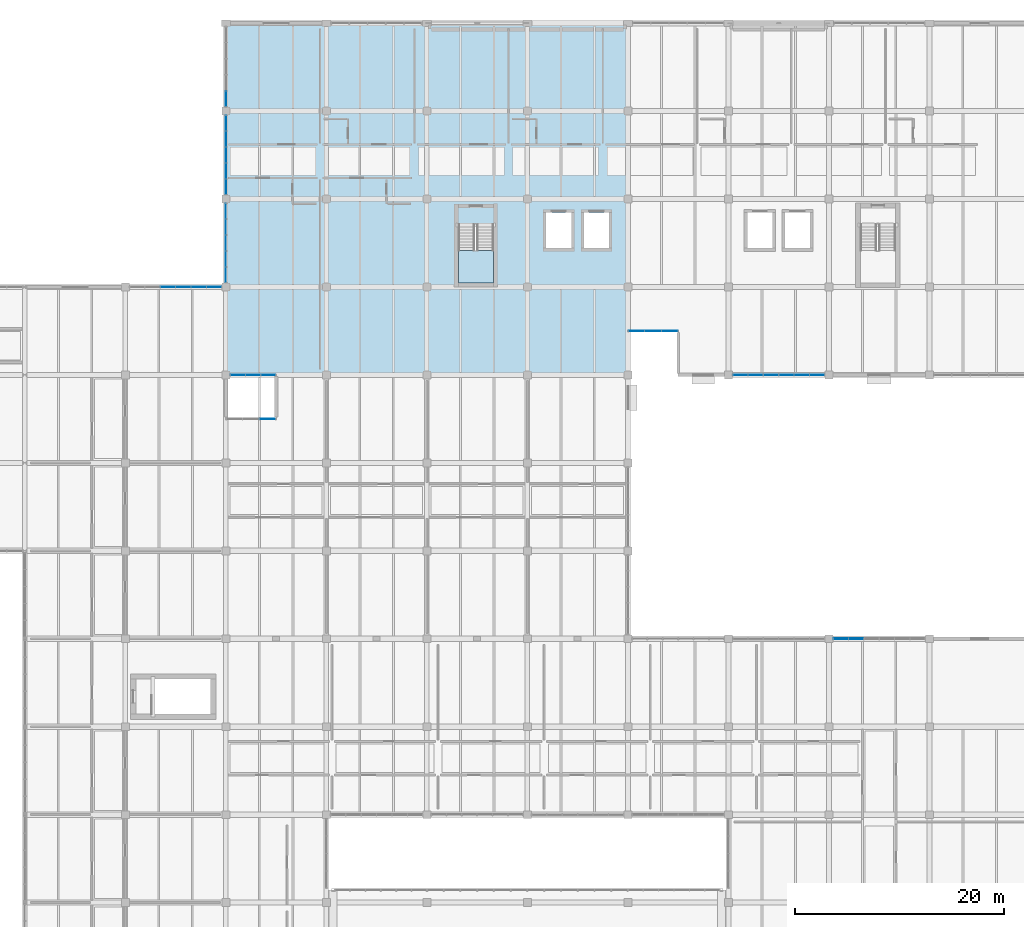
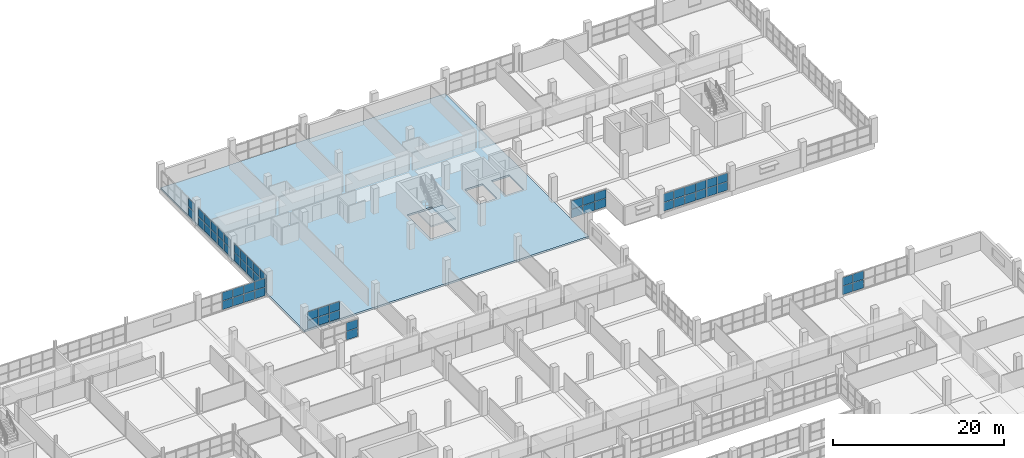
# One storey, part 106 of 147: 60 plates, 2 slabs, 10 elements without a shape of their own.
"""IFC4 building model written with IfcOpenShell, lengths in metres."""

from ifc_helpers import new_model, si_unit, direction, frame, origin, origin_2d, place, context, subcontext, project, spatial, polyline, rectangle, outline, extrude, material, layer, layer_set, type_object, element, aggregate, save


model = new_model("IFC4")

# Units and contexts
model_context = context("Model", 3, precision=1e-05, world=origin(), true_north=direction((0.0, 1.0)))
body_context = subcontext(model_context, "Body", "Model", "MODEL_VIEW")
ifc_project = project(units=[si_unit("LENGTHUNIT", "METRE"), si_unit("AREAUNIT", "SQUARE_METRE"), si_unit("VOLUMEUNIT", "CUBIC_METRE"), si_unit("PLANEANGLEUNIT", "RADIAN"), si_unit("MASSUNIT", "GRAM", prefix="KILO")], contexts=[model_context])

# Site, building, storey
site_placement = place(None, origin())
site = spatial("IfcSite", under=ifc_project, at=site_placement, CompositionType="ELEMENT")
building_placement = place(site_placement, origin())
building = spatial("IfcBuilding", under=site, at=building_placement, Name="Oolite Switchyard Hospital", CompositionType="ELEMENT")
storey_placement = place(building_placement, frame((0.0, 0.0, 9.89990234375)))
storey = spatial("IfcBuildingStorey", under=building, at=storey_placement, Name="L02", CompositionType="ELEMENT", Elevation=9.89990234375)

# Curtain wall, plates
ifc_material_1 = material(Name="Thermally broken aluminum frame with laminated impact glazing", Category="aluminium")
curtain_wall_type_1 = type_object("IfcCurtainWallType", Name="CW-UNIT-96X36", PredefinedType="USERDEFINED", material=ifc_material_1)
curtain_wall_1_placement = place(storey_placement, origin())
curtain_wall_1 = element("IfcCurtainWall", 1, at=curtain_wall_1_placement, inside=storey, type_object=curtain_wall_type_1, Name="L02 Unitised Curtain Wall 248", ObjectType="UNITISED", PredefinedType="USERDEFINED")
ifc_material_2 = material(Name="Insulated fluoropolymer-coated aluminum spandrel panel", Category="aluminium")
ifc_layer_1 = layer(ifc_material_2, 0.054931640625)
ifc_layer_set_1 = layer_set([ifc_layer_1], Name="CW-PNL-SPN55")
plate_type_1 = type_object("IfcPlateType", Name="CW-PNL-SPN55", PredefinedType="CURTAIN_PANEL", material=ifc_layer_set_1)
plate_1_placement = place(storey_placement, frame((193.142578125, 75.60009765625, 0.06005859375), z_axis=(0.0, 0.0, 1.0), x_axis=(1.0, 0.0, 0.0)))
plate_1 = element("IfcPlate", 2, at=plate_1_placement, type_object=plate_type_1, Name="CW-03 panel 1.1", PredefinedType="CURTAIN_PANEL", context=body_context, shape_type="SweptSolid", body=[
    extrude(rectangle(XDim=1.364990234375, YDim=0.054931640625, at=origin_2d()), origin(), (0.0, 0.0, 1.0), 1.195068359375),
])
plate_2_placement = place(storey_placement, frame((193.142578125, 75.60009765625, 1.31494140625), z_axis=(0.0, 0.0, 1.0), x_axis=(1.0, 0.0, 0.0)))
plate_2 = element("IfcPlate", 3, at=plate_2_placement, type_object=plate_type_1, Name="CW-03 panel 1.2", PredefinedType="CURTAIN_PANEL", context=body_context, shape_type="SweptSolid", body=[
    extrude(rectangle(XDim=1.364990234375, YDim=0.054931640625, at=origin_2d()), origin(), (0.0, 0.0, 1.0), 1.195068359375),
])
plate_3_placement = place(storey_placement, frame((194.594970703125, 75.60009765625, 0.06005859375), z_axis=(0.0, 0.0, 1.0), x_axis=(1.0, 0.0, 0.0)))
plate_3 = element("IfcPlate", 4, at=plate_3_placement, type_object=plate_type_1, Name="CW-03 panel 2.1", PredefinedType="CURTAIN_PANEL", context=body_context, shape_type="SweptSolid", body=[
    extrude(rectangle(XDim=1.39990234375, YDim=0.054931640625, at=origin_2d()), origin(), (0.0, 0.0, 1.0), 1.195068359375),
])
plate_4_placement = place(storey_placement, frame((194.594970703125, 75.60009765625, 1.31494140625), z_axis=(0.0, 0.0, 1.0), x_axis=(1.0, 0.0, 0.0)))
plate_4 = element("IfcPlate", 5, at=plate_4_placement, type_object=plate_type_1, Name="CW-03 panel 2.2", PredefinedType="CURTAIN_PANEL", context=body_context, shape_type="SweptSolid", body=[
    extrude(rectangle(XDim=1.39990234375, YDim=0.054931640625, at=origin_2d()), origin(), (0.0, 0.0, 1.0), 1.195068359375),
])
aggregate(curtain_wall_1, [plate_1, plate_2, plate_3, plate_4])

curtain_wall_type_2 = type_object("IfcCurtainWallType", Name="CW-UNIT-84X36", PredefinedType="USERDEFINED", material=ifc_material_1)
curtain_wall_2_placement = place(storey_placement, origin())
curtain_wall_2 = element("IfcCurtainWall", 6, at=curtain_wall_2_placement, inside=storey, type_object=curtain_wall_type_2, Name="L02 Unitised Curtain Wall 262", ObjectType="UNITISED", PredefinedType="USERDEFINED")
ifc_layer_2 = layer(ifc_material_2, 0.070068359375)
ifc_layer_set_2 = layer_set([ifc_layer_2], Name="CW-PNL-SPN70")
plate_type_2 = type_object("IfcPlateType", Name="CW-PNL-SPN70", PredefinedType="CURTAIN_PANEL", material=ifc_layer_set_2)
plate_5_placement = place(storey_placement, frame((176.784912109375, 105.0, 0.06005859375), z_axis=(0.0, 0.0, 1.0), x_axis=(-1.0, 0.0, 0.0)))
plate_5 = element("IfcPlate", 7, at=plate_5_placement, type_object=plate_type_2, Name="CW-08 panel 1.1", PredefinedType="CURTAIN_PANEL", context=body_context, shape_type="SweptSolid", body=[
    extrude(rectangle(XDim=1.510009765625, YDim=0.070068359375, at=origin_2d()), origin(), (0.0, 0.0, 1.0), 1.195068359375),
])
plate_6_placement = place(storey_placement, frame((176.784912109375, 105.0, 1.31494140625), z_axis=(0.0, 0.0, 1.0), x_axis=(-1.0, 0.0, 0.0)))
plate_6 = element("IfcPlate", 8, at=plate_6_placement, type_object=plate_type_2, Name="CW-08 panel 1.2", PredefinedType="CURTAIN_PANEL", context=body_context, shape_type="SweptSolid", body=[
    extrude(rectangle(XDim=1.510009765625, YDim=0.070068359375, at=origin_2d()), origin(), (0.0, 0.0, 1.0), 1.195068359375),
])
plate_7_placement = place(storey_placement, frame((175.199951171875, 105.0, 0.06005859375), z_axis=(0.0, 0.0, 1.0), x_axis=(-1.0, 0.0, 0.0)))
plate_7 = element("IfcPlate", 9, at=plate_7_placement, type_object=plate_type_2, Name="CW-08 panel 2.1", PredefinedType="CURTAIN_PANEL", context=body_context, shape_type="SweptSolid", body=[
    extrude(rectangle(XDim=1.5400390625, YDim=0.070068359375, at=origin_2d()), origin(), (0.0, 0.0, 1.0), 1.195068359375),
])
plate_8_placement = place(storey_placement, frame((175.199951171875, 105.0, 1.31494140625), z_axis=(0.0, 0.0, 1.0), x_axis=(-1.0, 0.0, 0.0)))
plate_8 = element("IfcPlate", 10, at=plate_8_placement, type_object=plate_type_2, Name="CW-08 panel 2.2", PredefinedType="CURTAIN_PANEL", context=body_context, shape_type="SweptSolid", body=[
    extrude(rectangle(XDim=1.5400390625, YDim=0.070068359375, at=origin_2d()), origin(), (0.0, 0.0, 1.0), 1.195068359375),
])
plate_9_placement = place(storey_placement, frame((173.614990234375, 105.0, 0.06005859375), z_axis=(0.0, 0.0, 1.0), x_axis=(-1.0, 0.0, 0.0)))
plate_9 = element("IfcPlate", 11, at=plate_9_placement, type_object=plate_type_2, Name="CW-08 panel 3.1", PredefinedType="CURTAIN_PANEL", context=body_context, shape_type="SweptSolid", body=[
    extrude(rectangle(XDim=1.510009765625, YDim=0.070068359375, at=origin_2d()), origin(), (0.0, 0.0, 1.0), 1.195068359375),
])
plate_10_placement = place(storey_placement, frame((173.614990234375, 105.0, 1.31494140625), z_axis=(0.0, 0.0, 1.0), x_axis=(-1.0, 0.0, 0.0)))
plate_10 = element("IfcPlate", 12, at=plate_10_placement, type_object=plate_type_2, Name="CW-08 panel 3.2", PredefinedType="CURTAIN_PANEL", context=body_context, shape_type="SweptSolid", body=[
    extrude(rectangle(XDim=1.510009765625, YDim=0.070068359375, at=origin_2d()), origin(), (0.0, 0.0, 1.0), 1.195068359375),
])
aggregate(curtain_wall_2, [plate_5, plate_6, plate_7, plate_8, plate_9, plate_10])

curtain_wall_3_placement = place(storey_placement, origin())
curtain_wall_3 = element("IfcCurtainWall", 13, at=curtain_wall_3_placement, inside=storey, type_object=curtain_wall_type_1, Name="L02 Unitised Curtain Wall 260", ObjectType="UNITISED", PredefinedType="USERDEFINED")
ifc_material_3 = material(Name="Laminated hurricane-impact insulated glazing unit", Category="glass")
ifc_layer_3 = layer(ifc_material_3, 0.028076171875)
ifc_layer_set_3 = layer_set([ifc_layer_3], Name="CW-PNL-VIS28")
plate_type_3 = type_object("IfcPlateType", Name="CW-PNL-VIS28", PredefinedType="CURTAIN_PANEL", material=ifc_layer_set_3)
plate_11_placement = place(storey_placement, frame((190.857421875, 100.800048828125, 0.06005859375), z_axis=(0.0, 0.0, 1.0), x_axis=(-1.0, 0.0, 0.0)))
plate_11 = element("IfcPlate", 14, at=plate_11_placement, type_object=plate_type_3, Name="CW-03 panel 1.1", PredefinedType="CURTAIN_PANEL", context=body_context, shape_type="SweptSolid", body=[
    extrude(rectangle(XDim=1.364990234375, YDim=0.028076171875, at=origin_2d()), origin(), (0.0, 0.0, 1.0), 1.195068359375),
])
plate_12_placement = place(storey_placement, frame((190.857421875, 100.800048828125, 1.31494140625), z_axis=(0.0, 0.0, 1.0), x_axis=(-1.0, 0.0, 0.0)))
plate_12 = element("IfcPlate", 15, at=plate_12_placement, type_object=plate_type_3, Name="CW-03 panel 1.2", PredefinedType="CURTAIN_PANEL", context=body_context, shape_type="SweptSolid", body=[
    extrude(rectangle(XDim=1.364990234375, YDim=0.028076171875, at=origin_2d()), origin(), (0.0, 0.0, 1.0), 1.195068359375),
])
plate_13_placement = place(storey_placement, frame((189.405029296875, 100.800048828125, 0.06005859375), z_axis=(0.0, 0.0, 1.0), x_axis=(-1.0, 0.0, 0.0)))
plate_13 = element("IfcPlate", 16, at=plate_13_placement, type_object=plate_type_3, Name="CW-03 panel 2.1", PredefinedType="CURTAIN_PANEL", context=body_context, shape_type="SweptSolid", body=[
    extrude(rectangle(XDim=1.39990234375, YDim=0.028076171875, at=origin_2d()), origin(), (0.0, 0.0, 1.0), 1.195068359375),
])
plate_14_placement = place(storey_placement, frame((189.405029296875, 100.800048828125, 1.31494140625), z_axis=(0.0, 0.0, 1.0), x_axis=(-1.0, 0.0, 0.0)))
plate_14 = element("IfcPlate", 17, at=plate_14_placement, type_object=plate_type_3, Name="CW-03 panel 2.2", PredefinedType="CURTAIN_PANEL", context=body_context, shape_type="SweptSolid", body=[
    extrude(rectangle(XDim=1.39990234375, YDim=0.028076171875, at=origin_2d()), origin(), (0.0, 0.0, 1.0), 1.195068359375),
])
plate_15_placement = place(storey_placement, frame((187.93505859375, 100.800048828125, 0.06005859375), z_axis=(0.0, 0.0, 1.0), x_axis=(-1.0, 0.0, 0.0)))
plate_15 = element("IfcPlate", 18, at=plate_15_placement, type_object=plate_type_3, Name="CW-03 panel 3.1", PredefinedType="CURTAIN_PANEL", context=body_context, shape_type="SweptSolid", body=[
    extrude(rectangle(XDim=1.39990234375, YDim=0.028076171875, at=origin_2d()), origin(), (0.0, 0.0, 1.0), 1.195068359375),
])
plate_16_placement = place(storey_placement, frame((187.93505859375, 100.800048828125, 1.31494140625), z_axis=(0.0, 0.0, 1.0), x_axis=(-1.0, 0.0, 0.0)))
plate_16 = element("IfcPlate", 19, at=plate_16_placement, type_object=plate_type_3, Name="CW-03 panel 3.2", PredefinedType="CURTAIN_PANEL", context=body_context, shape_type="SweptSolid", body=[
    extrude(rectangle(XDim=1.39990234375, YDim=0.028076171875, at=origin_2d()), origin(), (0.0, 0.0, 1.0), 1.195068359375),
])
plate_17_placement = place(storey_placement, frame((186.465087890625, 100.800048828125, 0.06005859375), z_axis=(0.0, 0.0, 1.0), x_axis=(-1.0, 0.0, 0.0)))
plate_17 = element("IfcPlate", 20, at=plate_17_placement, type_object=plate_type_3, Name="CW-03 panel 4.1", PredefinedType="CURTAIN_PANEL", context=body_context, shape_type="SweptSolid", body=[
    extrude(rectangle(XDim=1.39990234375, YDim=0.028076171875, at=origin_2d()), origin(), (0.0, 0.0, 1.0), 1.195068359375),
])
plate_18_placement = place(storey_placement, frame((186.465087890625, 100.800048828125, 1.31494140625), z_axis=(0.0, 0.0, 1.0), x_axis=(-1.0, 0.0, 0.0)))
plate_18 = element("IfcPlate", 21, at=plate_18_placement, type_object=plate_type_3, Name="CW-03 panel 4.2", PredefinedType="CURTAIN_PANEL", context=body_context, shape_type="SweptSolid", body=[
    extrude(rectangle(XDim=1.39990234375, YDim=0.028076171875, at=origin_2d()), origin(), (0.0, 0.0, 1.0), 1.195068359375),
])
plate_19_placement = place(storey_placement, frame((184.9951171875, 100.800048828125, 0.06005859375), z_axis=(0.0, 0.0, 1.0), x_axis=(-1.0, 0.0, 0.0)))
plate_19 = element("IfcPlate", 22, at=plate_19_placement, type_object=plate_type_3, Name="CW-03 panel 5.1", PredefinedType="CURTAIN_PANEL", context=body_context, shape_type="SweptSolid", body=[
    extrude(rectangle(XDim=1.39990234375, YDim=0.028076171875, at=origin_2d()), origin(), (0.0, 0.0, 1.0), 1.195068359375),
])
plate_20_placement = place(storey_placement, frame((184.9951171875, 100.800048828125, 1.31494140625), z_axis=(0.0, 0.0, 1.0), x_axis=(-1.0, 0.0, 0.0)))
plate_20 = element("IfcPlate", 23, at=plate_20_placement, type_object=plate_type_3, Name="CW-03 panel 5.2", PredefinedType="CURTAIN_PANEL", context=body_context, shape_type="SweptSolid", body=[
    extrude(rectangle(XDim=1.39990234375, YDim=0.028076171875, at=origin_2d()), origin(), (0.0, 0.0, 1.0), 1.195068359375),
])
plate_21_placement = place(storey_placement, frame((183.54248046875, 100.800048828125, 0.06005859375), z_axis=(0.0, 0.0, 1.0), x_axis=(-1.0, 0.0, 0.0)))
plate_21 = element("IfcPlate", 24, at=plate_21_placement, type_object=plate_type_3, Name="CW-03 panel 6.1", PredefinedType="CURTAIN_PANEL", context=body_context, shape_type="SweptSolid", body=[
    extrude(rectangle(XDim=1.364990234375, YDim=0.028076171875, at=origin_2d()), origin(), (0.0, 0.0, 1.0), 1.195068359375),
])
plate_22_placement = place(storey_placement, frame((183.54248046875, 100.800048828125, 1.31494140625), z_axis=(0.0, 0.0, 1.0), x_axis=(-1.0, 0.0, 0.0)))
plate_22 = element("IfcPlate", 25, at=plate_22_placement, type_object=plate_type_3, Name="CW-03 panel 6.2", PredefinedType="CURTAIN_PANEL", context=body_context, shape_type="SweptSolid", body=[
    extrude(rectangle(XDim=1.364990234375, YDim=0.028076171875, at=origin_2d()), origin(), (0.0, 0.0, 1.0), 1.195068359375),
])
aggregate(curtain_wall_3, [plate_11, plate_12, plate_13, plate_14, plate_15, plate_16, plate_17, plate_18, plate_19, plate_20, plate_21, plate_22])

curtain_wall_4_placement = place(storey_placement, origin())
curtain_wall_4 = element("IfcCurtainWall", 26, at=curtain_wall_4_placement, inside=storey, type_object=curtain_wall_type_2, Name="L02 Unitised Curtain Wall 298", ObjectType="UNITISED", PredefinedType="USERDEFINED")
plate_23_placement = place(storey_placement, frame((134.39990234375, 110.366943359375, 0.06005859375), z_axis=(0.0, 0.0, 1.0), x_axis=(0.0, 1.0, 0.0)))
plate_23 = element("IfcPlate", 27, at=plate_23_placement, type_object=plate_type_3, Name="CW-08 panel 1.1", PredefinedType="CURTAIN_PANEL", context=body_context, shape_type="SweptSolid", body=[
    extrude(rectangle(XDim=1.43408203125, YDim=0.028076171875, at=origin_2d()), origin(), (0.0, 0.0, 1.0), 1.195068359375),
])
plate_24_placement = place(storey_placement, frame((134.39990234375, 110.366943359375, 1.31494140625), z_axis=(0.0, 0.0, 1.0), x_axis=(0.0, 1.0, 0.0)))
plate_24 = element("IfcPlate", 28, at=plate_24_placement, type_object=plate_type_3, Name="CW-08 panel 1.2", PredefinedType="CURTAIN_PANEL", context=body_context, shape_type="SweptSolid", body=[
    extrude(rectangle(XDim=1.43408203125, YDim=0.028076171875, at=origin_2d()), origin(), (0.0, 0.0, 1.0), 1.195068359375),
])
plate_25_placement = place(storey_placement, frame((134.39990234375, 111.8759765625, 0.06005859375), z_axis=(0.0, 0.0, 1.0), x_axis=(0.0, 1.0, 0.0)))
plate_25 = element("IfcPlate", 29, at=plate_25_placement, type_object=plate_type_3, Name="CW-08 panel 2.1", PredefinedType="CURTAIN_PANEL", context=body_context, shape_type="SweptSolid", body=[
    extrude(rectangle(XDim=1.464111328125, YDim=0.028076171875, at=origin_2d()), origin(), (0.0, 0.0, 1.0), 1.195068359375),
])
plate_26_placement = place(storey_placement, frame((134.39990234375, 111.8759765625, 1.31494140625), z_axis=(0.0, 0.0, 1.0), x_axis=(0.0, 1.0, 0.0)))
plate_26 = element("IfcPlate", 30, at=plate_26_placement, type_object=plate_type_3, Name="CW-08 panel 2.2", PredefinedType="CURTAIN_PANEL", context=body_context, shape_type="SweptSolid", body=[
    extrude(rectangle(XDim=1.464111328125, YDim=0.028076171875, at=origin_2d()), origin(), (0.0, 0.0, 1.0), 1.195068359375),
])
plate_27_placement = place(storey_placement, frame((134.39990234375, 113.39990234375, 0.06005859375), z_axis=(0.0, 0.0, 1.0), x_axis=(0.0, 1.0, 0.0)))
plate_27 = element("IfcPlate", 31, at=plate_27_placement, type_object=plate_type_3, Name="CW-08 panel 3.1", PredefinedType="CURTAIN_PANEL", context=body_context, shape_type="SweptSolid", body=[
    extrude(rectangle(XDim=1.464111328125, YDim=0.028076171875, at=origin_2d()), origin(), (0.0, 0.0, 1.0), 1.195068359375),
])
plate_28_placement = place(storey_placement, frame((134.39990234375, 113.39990234375, 1.31494140625), z_axis=(0.0, 0.0, 1.0), x_axis=(0.0, 1.0, 0.0)))
plate_28 = element("IfcPlate", 32, at=plate_28_placement, type_object=plate_type_3, Name="CW-08 panel 3.2", PredefinedType="CURTAIN_PANEL", context=body_context, shape_type="SweptSolid", body=[
    extrude(rectangle(XDim=1.464111328125, YDim=0.028076171875, at=origin_2d()), origin(), (0.0, 0.0, 1.0), 1.195068359375),
])
plate_29_placement = place(storey_placement, frame((134.39990234375, 114.924072265625, 0.06005859375), z_axis=(0.0, 0.0, 1.0), x_axis=(0.0, 1.0, 0.0)))
plate_29 = element("IfcPlate", 33, at=plate_29_placement, type_object=plate_type_3, Name="CW-08 panel 4.1", PredefinedType="CURTAIN_PANEL", context=body_context, shape_type="SweptSolid", body=[
    extrude(rectangle(XDim=1.464111328125, YDim=0.028076171875, at=origin_2d()), origin(), (0.0, 0.0, 1.0), 1.195068359375),
])
plate_30_placement = place(storey_placement, frame((134.39990234375, 114.924072265625, 1.31494140625), z_axis=(0.0, 0.0, 1.0), x_axis=(0.0, 1.0, 0.0)))
plate_30 = element("IfcPlate", 34, at=plate_30_placement, type_object=plate_type_3, Name="CW-08 panel 4.2", PredefinedType="CURTAIN_PANEL", context=body_context, shape_type="SweptSolid", body=[
    extrude(rectangle(XDim=1.464111328125, YDim=0.028076171875, at=origin_2d()), origin(), (0.0, 0.0, 1.0), 1.195068359375),
])
plate_31_placement = place(storey_placement, frame((134.39990234375, 116.43310546875, 0.06005859375), z_axis=(0.0, 0.0, 1.0), x_axis=(0.0, 1.0, 0.0)))
plate_31 = element("IfcPlate", 35, at=plate_31_placement, type_object=plate_type_3, Name="CW-08 panel 5.1", PredefinedType="CURTAIN_PANEL", context=body_context, shape_type="SweptSolid", body=[
    extrude(rectangle(XDim=1.43408203125, YDim=0.028076171875, at=origin_2d()), origin(), (0.0, 0.0, 1.0), 1.195068359375),
])
plate_32_placement = place(storey_placement, frame((134.39990234375, 116.43310546875, 1.31494140625), z_axis=(0.0, 0.0, 1.0), x_axis=(0.0, 1.0, 0.0)))
plate_32 = element("IfcPlate", 36, at=plate_32_placement, type_object=plate_type_3, Name="CW-08 panel 5.2", PredefinedType="CURTAIN_PANEL", context=body_context, shape_type="SweptSolid", body=[
    extrude(rectangle(XDim=1.43408203125, YDim=0.028076171875, at=origin_2d()), origin(), (0.0, 0.0, 1.0), 1.195068359375),
])
aggregate(curtain_wall_4, [plate_23, plate_24, plate_25, plate_26, plate_27, plate_28, plate_29, plate_30, plate_31, plate_32])

curtain_wall_5_placement = place(storey_placement, origin())
curtain_wall_5 = element("IfcCurtainWall", 37, at=curtain_wall_5_placement, inside=storey, type_object=curtain_wall_type_2, Name="L02 Unitised Curtain Wall 258", ObjectType="UNITISED", PredefinedType="USERDEFINED")
ifc_layer_4 = layer(ifc_material_3, 0.031982421875)
ifc_layer_set_4 = layer_set([ifc_layer_4], Name="CW-PNL-VIS32")
plate_type_4 = type_object("IfcPlateType", Name="CW-PNL-VIS32", PredefinedType="CURTAIN_PANEL", material=ifc_layer_set_4)
plate_33_placement = place(storey_placement, frame((138.38134765625, 96.60009765625, 0.06005859375), z_axis=(0.0, 0.0, 1.0), x_axis=(1.0, 0.0, 0.0)))
plate_33 = element("IfcPlate", 38, at=plate_33_placement, type_object=plate_type_4, Name="CW-08 panel 3.1", PredefinedType="CURTAIN_PANEL", context=body_context, shape_type="SweptSolid", body=[
    extrude(rectangle(XDim=1.487548828125, YDim=0.031982421875, at=origin_2d()), origin(), (0.0, 0.0, 1.0), 1.195068359375),
])
plate_34_placement = place(storey_placement, frame((138.38134765625, 96.60009765625, 1.31494140625), z_axis=(0.0, 0.0, 1.0), x_axis=(1.0, 0.0, 0.0)))
plate_34 = element("IfcPlate", 39, at=plate_34_placement, type_object=plate_type_4, Name="CW-08 panel 3.2", PredefinedType="CURTAIN_PANEL", context=body_context, shape_type="SweptSolid", body=[
    extrude(rectangle(XDim=1.487548828125, YDim=0.031982421875, at=origin_2d()), origin(), (0.0, 0.0, 1.0), 1.195068359375),
])
aggregate(curtain_wall_5, [plate_33, plate_34])

curtain_wall_6_placement = place(storey_placement, origin())
curtain_wall_6 = element("IfcCurtainWall", 40, at=curtain_wall_6_placement, inside=storey, type_object=curtain_wall_type_2, Name="L02 Unitised Curtain Wall 299", ObjectType="UNITISED", PredefinedType="USERDEFINED")
plate_35_placement = place(storey_placement, frame((134.39990234375, 118.76953125, 0.0751953125), z_axis=(0.0, 0.0, 1.0), x_axis=(0.0, 1.0, 0.0)))
plate_35 = element("IfcPlate", 41, at=plate_35_placement, type_object=plate_type_4, Name="CW-08 panel 1.1", PredefinedType="CURTAIN_PANEL", context=body_context, shape_type="SweptSolid", body=[
    extrude(rectangle(XDim=1.4189453125, YDim=0.031982421875, at=origin_2d()), origin(), (0.0, 0.0, 1.0), 1.172607421875),
])
plate_36_placement = place(storey_placement, frame((134.39990234375, 118.76953125, 1.32275390625), z_axis=(0.0, 0.0, 1.0), x_axis=(0.0, 1.0, 0.0)))
plate_36 = element("IfcPlate", 42, at=plate_36_placement, type_object=plate_type_4, Name="CW-08 panel 1.2", PredefinedType="CURTAIN_PANEL", context=body_context, shape_type="SweptSolid", body=[
    extrude(rectangle(XDim=1.4189453125, YDim=0.031982421875, at=origin_2d()), origin(), (0.0, 0.0, 1.0), 1.172607421875),
])
plate_37_placement = place(storey_placement, frame((134.39990234375, 120.27587890625, 0.0751953125), z_axis=(0.0, 0.0, 1.0), x_axis=(0.0, 1.0, 0.0)))
plate_37 = element("IfcPlate", 43, at=plate_37_placement, type_object=plate_type_4, Name="CW-08 panel 2.1", PredefinedType="CURTAIN_PANEL", context=body_context, shape_type="SweptSolid", body=[
    extrude(rectangle(XDim=1.4541015625, YDim=0.031982421875, at=origin_2d()), origin(), (0.0, 0.0, 1.0), 1.172607421875),
])
plate_38_placement = place(storey_placement, frame((134.39990234375, 120.27587890625, 1.32275390625), z_axis=(0.0, 0.0, 1.0), x_axis=(0.0, 1.0, 0.0)))
plate_38 = element("IfcPlate", 44, at=plate_38_placement, type_object=plate_type_4, Name="CW-08 panel 2.2", PredefinedType="CURTAIN_PANEL", context=body_context, shape_type="SweptSolid", body=[
    extrude(rectangle(XDim=1.4541015625, YDim=0.031982421875, at=origin_2d()), origin(), (0.0, 0.0, 1.0), 1.172607421875),
])
plate_39_placement = place(storey_placement, frame((134.39990234375, 121.800048828125, 0.0751953125), z_axis=(0.0, 0.0, 1.0), x_axis=(0.0, 1.0, 0.0)))
plate_39 = element("IfcPlate", 45, at=plate_39_placement, type_object=plate_type_4, Name="CW-08 panel 3.1", PredefinedType="CURTAIN_PANEL", context=body_context, shape_type="SweptSolid", body=[
    extrude(rectangle(XDim=1.4541015625, YDim=0.031982421875, at=origin_2d()), origin(), (0.0, 0.0, 1.0), 1.172607421875),
])
plate_40_placement = place(storey_placement, frame((134.39990234375, 121.800048828125, 1.32275390625), z_axis=(0.0, 0.0, 1.0), x_axis=(0.0, 1.0, 0.0)))
plate_40 = element("IfcPlate", 46, at=plate_40_placement, type_object=plate_type_4, Name="CW-08 panel 3.2", PredefinedType="CURTAIN_PANEL", context=body_context, shape_type="SweptSolid", body=[
    extrude(rectangle(XDim=1.4541015625, YDim=0.031982421875, at=origin_2d()), origin(), (0.0, 0.0, 1.0), 1.172607421875),
])
plate_41_placement = place(storey_placement, frame((134.39990234375, 123.323974609375, 0.0751953125), z_axis=(0.0, 0.0, 1.0), x_axis=(0.0, 1.0, 0.0)))
plate_41 = element("IfcPlate", 47, at=plate_41_placement, type_object=plate_type_4, Name="CW-08 panel 4.1", PredefinedType="CURTAIN_PANEL", context=body_context, shape_type="SweptSolid", body=[
    extrude(rectangle(XDim=1.4541015625, YDim=0.031982421875, at=origin_2d()), origin(), (0.0, 0.0, 1.0), 1.172607421875),
])
plate_42_placement = place(storey_placement, frame((134.39990234375, 123.323974609375, 1.32275390625), z_axis=(0.0, 0.0, 1.0), x_axis=(0.0, 1.0, 0.0)))
plate_42 = element("IfcPlate", 48, at=plate_42_placement, type_object=plate_type_4, Name="CW-08 panel 4.2", PredefinedType="CURTAIN_PANEL", context=body_context, shape_type="SweptSolid", body=[
    extrude(rectangle(XDim=1.4541015625, YDim=0.031982421875, at=origin_2d()), origin(), (0.0, 0.0, 1.0), 1.172607421875),
])
plate_43_placement = place(storey_placement, frame((134.39990234375, 124.83056640625, 0.0751953125), z_axis=(0.0, 0.0, 1.0), x_axis=(0.0, 1.0, 0.0)))
plate_43 = element("IfcPlate", 49, at=plate_43_placement, type_object=plate_type_4, Name="CW-08 panel 5.1", PredefinedType="CURTAIN_PANEL", context=body_context, shape_type="SweptSolid", body=[
    extrude(rectangle(XDim=1.4189453125, YDim=0.031982421875, at=origin_2d()), origin(), (0.0, 0.0, 1.0), 1.172607421875),
])
plate_44_placement = place(storey_placement, frame((134.39990234375, 124.83056640625, 1.32275390625), z_axis=(0.0, 0.0, 1.0), x_axis=(0.0, 1.0, 0.0)))
plate_44 = element("IfcPlate", 50, at=plate_44_placement, type_object=plate_type_4, Name="CW-08 panel 5.2", PredefinedType="CURTAIN_PANEL", context=body_context, shape_type="SweptSolid", body=[
    extrude(rectangle(XDim=1.4189453125, YDim=0.031982421875, at=origin_2d()), origin(), (0.0, 0.0, 1.0), 1.172607421875),
])
aggregate(curtain_wall_6, [plate_35, plate_36, plate_37, plate_38, plate_39, plate_40, plate_41, plate_42, plate_43, plate_44])

curtain_wall_7_placement = place(storey_placement, origin())
curtain_wall_7 = element("IfcCurtainWall", 51, at=curtain_wall_7_placement, inside=storey, type_object=curtain_wall_type_1, Name="L02 Unitised Curtain Wall 266", ObjectType="UNITISED", PredefinedType="USERDEFINED")
ifc_layer_5 = layer(ifc_material_3, 0.035888671875)
ifc_layer_set_5 = layer_set([ifc_layer_5], Name="CW-PNL-VIS36")
plate_type_5 = type_object("IfcPlateType", Name="CW-PNL-VIS36", PredefinedType="CURTAIN_PANEL", material=ifc_layer_set_5)
plate_45_placement = place(storey_placement, frame((128.864990234375, 109.199951171875, 0.06005859375), z_axis=(0.0, 0.0, 1.0), x_axis=(1.0, 0.0, 0.0)))
plate_45 = element("IfcPlate", 52, at=plate_45_placement, type_object=plate_type_5, Name="CW-03 panel 3.1", PredefinedType="CURTAIN_PANEL", context=body_context, shape_type="SweptSolid", body=[
    extrude(rectangle(XDim=1.39990234375, YDim=0.035888671875, at=origin_2d()), origin(), (0.0, 0.0, 1.0), 1.195068359375),
])
plate_46_placement = place(storey_placement, frame((128.864990234375, 109.199951171875, 1.31494140625), z_axis=(0.0, 0.0, 1.0), x_axis=(1.0, 0.0, 0.0)))
plate_46 = element("IfcPlate", 53, at=plate_46_placement, type_object=plate_type_5, Name="CW-03 panel 3.2", PredefinedType="CURTAIN_PANEL", context=body_context, shape_type="SweptSolid", body=[
    extrude(rectangle(XDim=1.39990234375, YDim=0.035888671875, at=origin_2d()), origin(), (0.0, 0.0, 1.0), 1.195068359375),
])
plate_47_placement = place(storey_placement, frame((130.3349609375, 109.199951171875, 0.06005859375), z_axis=(0.0, 0.0, 1.0), x_axis=(1.0, 0.0, 0.0)))
plate_47 = element("IfcPlate", 54, at=plate_47_placement, type_object=plate_type_5, Name="CW-03 panel 4.1", PredefinedType="CURTAIN_PANEL", context=body_context, shape_type="SweptSolid", body=[
    extrude(rectangle(XDim=1.39990234375, YDim=0.035888671875, at=origin_2d()), origin(), (0.0, 0.0, 1.0), 1.195068359375),
])
plate_48_placement = place(storey_placement, frame((130.3349609375, 109.199951171875, 1.31494140625), z_axis=(0.0, 0.0, 1.0), x_axis=(1.0, 0.0, 0.0)))
plate_48 = element("IfcPlate", 55, at=plate_48_placement, type_object=plate_type_5, Name="CW-03 panel 4.2", PredefinedType="CURTAIN_PANEL", context=body_context, shape_type="SweptSolid", body=[
    extrude(rectangle(XDim=1.39990234375, YDim=0.035888671875, at=origin_2d()), origin(), (0.0, 0.0, 1.0), 1.195068359375),
])
plate_49_placement = place(storey_placement, frame((131.804931640625, 109.199951171875, 0.06005859375), z_axis=(0.0, 0.0, 1.0), x_axis=(1.0, 0.0, 0.0)))
plate_49 = element("IfcPlate", 56, at=plate_49_placement, type_object=plate_type_5, Name="CW-03 panel 5.1", PredefinedType="CURTAIN_PANEL", context=body_context, shape_type="SweptSolid", body=[
    extrude(rectangle(XDim=1.39990234375, YDim=0.035888671875, at=origin_2d()), origin(), (0.0, 0.0, 1.0), 1.195068359375),
])
plate_50_placement = place(storey_placement, frame((131.804931640625, 109.199951171875, 1.31494140625), z_axis=(0.0, 0.0, 1.0), x_axis=(1.0, 0.0, 0.0)))
plate_50 = element("IfcPlate", 57, at=plate_50_placement, type_object=plate_type_5, Name="CW-03 panel 5.2", PredefinedType="CURTAIN_PANEL", context=body_context, shape_type="SweptSolid", body=[
    extrude(rectangle(XDim=1.39990234375, YDim=0.035888671875, at=origin_2d()), origin(), (0.0, 0.0, 1.0), 1.195068359375),
])
plate_51_placement = place(storey_placement, frame((133.257568359375, 109.199951171875, 0.06005859375), z_axis=(0.0, 0.0, 1.0), x_axis=(1.0, 0.0, 0.0)))
plate_51 = element("IfcPlate", 58, at=plate_51_placement, type_object=plate_type_5, Name="CW-03 panel 6.1", PredefinedType="CURTAIN_PANEL", context=body_context, shape_type="SweptSolid", body=[
    extrude(rectangle(XDim=1.364990234375, YDim=0.035888671875, at=origin_2d()), origin(), (0.0, 0.0, 1.0), 1.195068359375),
])
plate_52_placement = place(storey_placement, frame((133.257568359375, 109.199951171875, 1.31494140625), z_axis=(0.0, 0.0, 1.0), x_axis=(1.0, 0.0, 0.0)))
plate_52 = element("IfcPlate", 59, at=plate_52_placement, type_object=plate_type_5, Name="CW-03 panel 6.2", PredefinedType="CURTAIN_PANEL", context=body_context, shape_type="SweptSolid", body=[
    extrude(rectangle(XDim=1.364990234375, YDim=0.035888671875, at=origin_2d()), origin(), (0.0, 0.0, 1.0), 1.195068359375),
])
aggregate(curtain_wall_7, [plate_45, plate_46, plate_47, plate_48, plate_49, plate_50, plate_51, plate_52])

curtain_wall_8_placement = place(storey_placement, origin())
curtain_wall_8 = element("IfcCurtainWall", 60, at=curtain_wall_8_placement, inside=storey, type_object=curtain_wall_type_2, Name="L02 Unitised Curtain Wall 300", ObjectType="UNITISED", PredefinedType="USERDEFINED")
plate_53_placement = place(storey_placement, frame((134.39990234375, 127.17822265625, 0.06005859375), z_axis=(0.0, 0.0, 1.0), x_axis=(0.0, 1.0, 0.0)))
plate_53 = element("IfcPlate", 61, at=plate_53_placement, type_object=plate_type_5, Name="CW-08 panel 1.1", PredefinedType="CURTAIN_PANEL", context=body_context, shape_type="SweptSolid", body=[
    extrude(rectangle(XDim=1.426513671875, YDim=0.035888671875, at=origin_2d()), origin(), (0.0, 0.0, 1.0), 1.195068359375),
])
plate_54_placement = place(storey_placement, frame((134.39990234375, 127.17822265625, 1.31494140625), z_axis=(0.0, 0.0, 1.0), x_axis=(0.0, 1.0, 0.0)))
plate_54 = element("IfcPlate", 62, at=plate_54_placement, type_object=plate_type_5, Name="CW-08 panel 1.2", PredefinedType="CURTAIN_PANEL", context=body_context, shape_type="SweptSolid", body=[
    extrude(rectangle(XDim=1.426513671875, YDim=0.035888671875, at=origin_2d()), origin(), (0.0, 0.0, 1.0), 1.195068359375),
])
aggregate(curtain_wall_8, [plate_53, plate_54])

curtain_wall_9_placement = place(storey_placement, origin())
curtain_wall_9 = element("IfcCurtainWall", 63, at=curtain_wall_9_placement, inside=storey, type_object=curtain_wall_type_2, Name="L02 Unitised Curtain Wall 259", ObjectType="UNITISED", PredefinedType="USERDEFINED")
ifc_layer_6 = layer(ifc_material_3, 0.0419921875)
ifc_layer_set_6 = layer_set([ifc_layer_6], Name="CW-PNL-VIS42")
plate_type_6 = type_object("IfcPlateType", Name="CW-PNL-VIS42", PredefinedType="CURTAIN_PANEL", material=ifc_layer_set_6)
plate_55_placement = place(storey_placement, frame((138.449951171875, 100.800048828125, 0.0751953125), z_axis=(0.0, 0.0, 1.0), x_axis=(-1.0, 0.0, 0.0)))
plate_55 = element("IfcPlate", 64, at=plate_55_placement, type_object=plate_type_6, Name="CW-08 panel 1.1", PredefinedType="CURTAIN_PANEL", context=body_context, shape_type="SweptSolid", body=[
    extrude(rectangle(XDim=1.3798828125, YDim=0.0419921875, at=origin_2d()), origin(), (0.0, 0.0, 1.0), 1.172607421875),
])
plate_56_placement = place(storey_placement, frame((138.449951171875, 100.800048828125, 1.32275390625), z_axis=(0.0, 0.0, 1.0), x_axis=(-1.0, 0.0, 0.0)))
plate_56 = element("IfcPlate", 65, at=plate_56_placement, type_object=plate_type_6, Name="CW-08 panel 1.2", PredefinedType="CURTAIN_PANEL", context=body_context, shape_type="SweptSolid", body=[
    extrude(rectangle(XDim=1.3798828125, YDim=0.0419921875, at=origin_2d()), origin(), (0.0, 0.0, 1.0), 1.172607421875),
])
plate_57_placement = place(storey_placement, frame((136.9951171875, 100.800048828125, 0.0751953125), z_axis=(0.0, 0.0, 1.0), x_axis=(-1.0, 0.0, 0.0)))
plate_57 = element("IfcPlate", 66, at=plate_57_placement, type_object=plate_type_6, Name="CW-08 panel 2.1", PredefinedType="CURTAIN_PANEL", context=body_context, shape_type="SweptSolid", body=[
    extrude(rectangle(XDim=1.409912109375, YDim=0.0419921875, at=origin_2d()), origin(), (0.0, 0.0, 1.0), 1.172607421875),
])
plate_58_placement = place(storey_placement, frame((136.9951171875, 100.800048828125, 1.32275390625), z_axis=(0.0, 0.0, 1.0), x_axis=(-1.0, 0.0, 0.0)))
plate_58 = element("IfcPlate", 67, at=plate_58_placement, type_object=plate_type_6, Name="CW-08 panel 2.2", PredefinedType="CURTAIN_PANEL", context=body_context, shape_type="SweptSolid", body=[
    extrude(rectangle(XDim=1.409912109375, YDim=0.0419921875, at=origin_2d()), origin(), (0.0, 0.0, 1.0), 1.172607421875),
])
plate_59_placement = place(storey_placement, frame((135.5400390625, 100.800048828125, 0.0751953125), z_axis=(0.0, 0.0, 1.0), x_axis=(-1.0, 0.0, 0.0)))
plate_59 = element("IfcPlate", 68, at=plate_59_placement, type_object=plate_type_6, Name="CW-08 panel 3.1", PredefinedType="CURTAIN_PANEL", context=body_context, shape_type="SweptSolid", body=[
    extrude(rectangle(XDim=1.3798828125, YDim=0.0419921875, at=origin_2d()), origin(), (0.0, 0.0, 1.0), 1.172607421875),
])
plate_60_placement = place(storey_placement, frame((135.5400390625, 100.800048828125, 1.32275390625), z_axis=(0.0, 0.0, 1.0), x_axis=(-1.0, 0.0, 0.0)))
plate_60 = element("IfcPlate", 69, at=plate_60_placement, type_object=plate_type_6, Name="CW-08 panel 3.2", PredefinedType="CURTAIN_PANEL", context=body_context, shape_type="SweptSolid", body=[
    extrude(rectangle(XDim=1.3798828125, YDim=0.0419921875, at=origin_2d()), origin(), (0.0, 0.0, 1.0), 1.172607421875),
])
aggregate(curtain_wall_9, [plate_55, plate_56, plate_57, plate_58, plate_59, plate_60])

# Slab
ifc_material_4 = material(Name="Concrete C40/50", Category="concrete")
ifc_layer_7 = layer(ifc_material_4, 0.260009765625)
ifc_layer_set_7 = layer_set([ifc_layer_7], Name="SLB-INT-260")
slab_type_1 = type_object("IfcSlabType", Name="SLB-INT-260", PredefinedType="FLOOR", material=ifc_layer_set_7)
slab_1_placement = place(storey_placement, frame((0.0, 0.0, -0.260009765625)))
element("IfcSlab", 70, at=slab_1_placement, inside=storey, type_object=slab_type_1, Name="L02 V5E Slab V5E1", PredefinedType="FLOOR", context=body_context, shape_type="SweptSolid", body=[
    extrude(outline(polyline([(134.39990234375, 100.800048828125), (172.800048828125, 100.800048828125), (172.800048828125, 134.39990234375), (134.39990234375, 134.39990234375), (134.39990234375, 100.800048828125)]), holes=[polyline([(156.60009765625, 115.18994140625), (156.60009765625, 109.60009765625), (159.9599609375, 109.60009765625), (159.9599609375, 115.18994140625), (156.60009765625, 115.18994140625)]), polyline([(165.0, 112.89990234375), (167.39990234375, 112.89990234375), (167.39990234375, 116.300048828125), (165.0, 116.300048828125), (165.0, 112.89990234375)]), polyline([(168.60009765625, 112.89990234375), (171.0, 112.89990234375), (171.0, 116.300048828125), (168.60009765625, 116.300048828125), (168.60009765625, 112.89990234375)])]), origin(), (0.0, 0.0, 1.0), 0.260009765625),
])

# Stair, slab
stair_type = type_object("IfcStairType", Name="STR-DL-156-R20", PredefinedType="HALF_TURN_STAIR", material=ifc_material_4)
stair_placement = place(storey_placement, origin())
stair = element("IfcStair", 71, at=stair_placement, inside=storey, type_object=stair_type, Name="L02 Exit Stair ST-03", PredefinedType="HALF_TURN_STAIR")
ifc_layer_8 = layer(ifc_material_4, 0.199951171875)
ifc_layer_set_8 = layer_set([ifc_layer_8], Name="SLB-LND-200")
slab_type_2 = type_object("IfcSlabType", Name="SLB-LND-200", PredefinedType="LANDING", material=ifc_layer_set_8)
slab_2_placement = place(storey_placement, frame((0.0, 0.0, 1.60009765625)))
slab_2 = element("IfcSlab", 72, at=slab_2_placement, type_object=slab_type_2, Name="ST-03 landing 1", PredefinedType="LANDING", context=body_context, shape_type="SweptSolid", body=[
    extrude(outline(polyline([(156.60009765625, 112.669921875), (156.60009765625, 109.60009765625), (159.9599609375, 109.60009765625), (159.9599609375, 112.669921875), (156.60009765625, 112.669921875)])), origin(), (0.0, 0.0, 1.0), 0.199951171875),
])
aggregate(stair, [slab_2])

save(model, "model.ifc")
